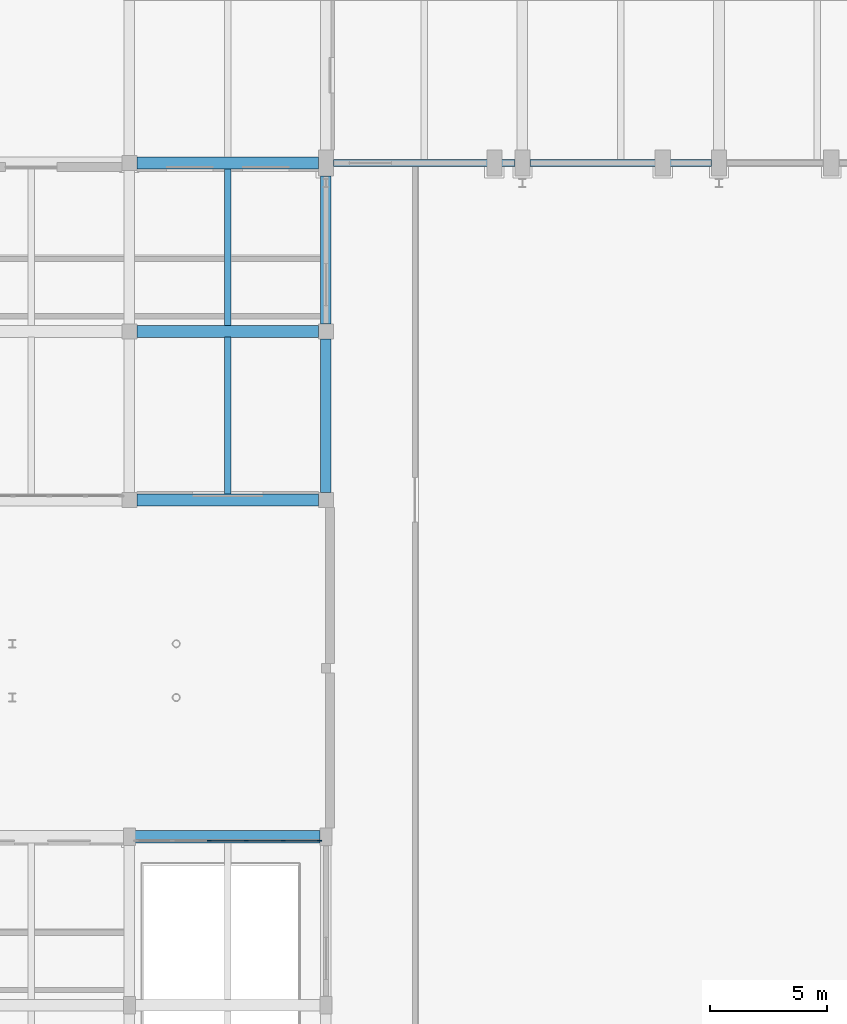
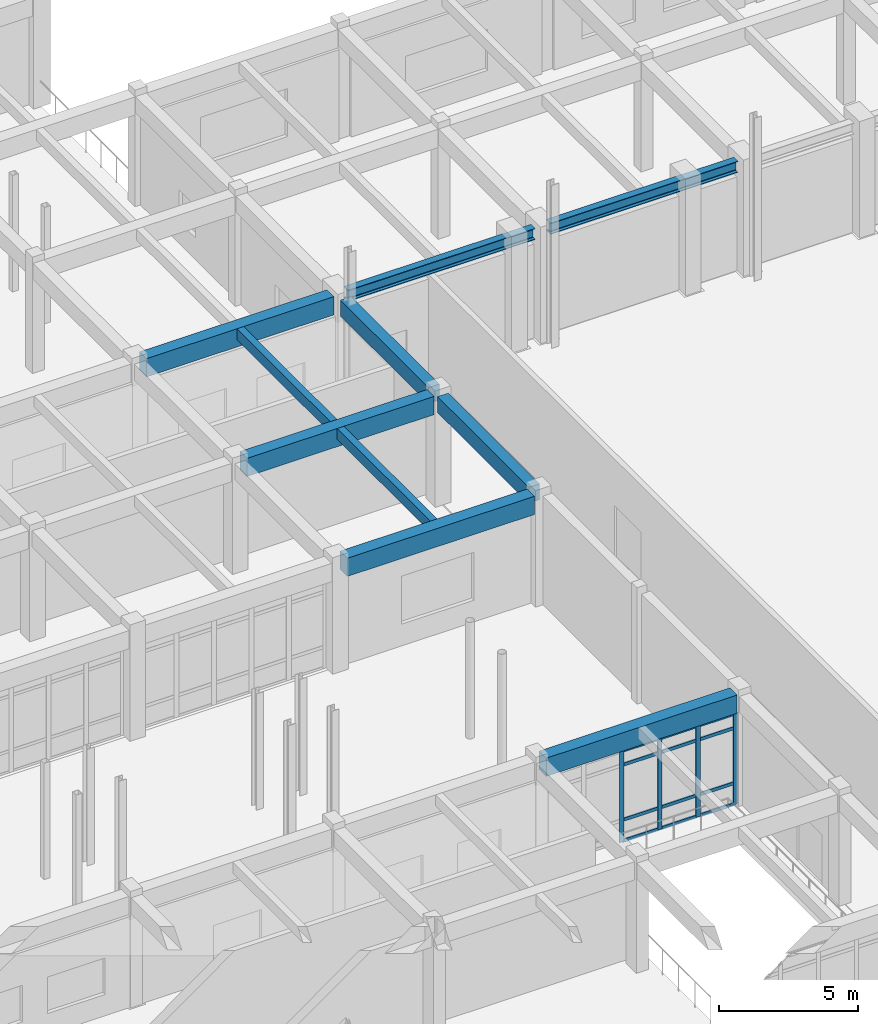
# One storey, part 62 of 121: 16 members, 10 beams, 1 element without a shape of its own.
"""IFC4 building model written with IfcOpenShell, lengths in metres."""

from ifc_helpers import new_model, si_unit, direction, frame, origin, origin_2d, place, context, subcontext, project, spatial, rectangle, i_section, extrude, material, material_profile, profile_set, type_object, element, aggregate, save


model = new_model("IFC4")

# Units and contexts
model_context = context("Model", 3, precision=1e-05, world=origin(), true_north=direction((0.0, 1.0)))
body_context = subcontext(model_context, "Body", "Model", "MODEL_VIEW")
ifc_project = project(units=[si_unit("LENGTHUNIT", "METRE"), si_unit("AREAUNIT", "SQUARE_METRE"), si_unit("VOLUMEUNIT", "CUBIC_METRE"), si_unit("PLANEANGLEUNIT", "RADIAN"), si_unit("MASSUNIT", "GRAM", prefix="KILO")], contexts=[model_context])

# Site, building, storey
site_placement = place(None, origin())
site = spatial("IfcSite", under=ifc_project, at=site_placement, CompositionType="ELEMENT")
building_placement = place(site_placement, origin())
building = spatial("IfcBuilding", under=site, at=building_placement, Name="Malvenik Polytechnic", CompositionType="ELEMENT")
storey_placement = place(building_placement, origin())
storey = spatial("IfcBuildingStorey", under=building, at=storey_placement, Name="L00", CompositionType="ELEMENT", Elevation=0.0)

# Curtain wall, members
ifc_material_1 = material(Name="Anodised aluminium 6060-T6", Category="aluminium")
curtain_wall_type = type_object("IfcCurtainWallType", Name="ARC-CW-CW-01", PredefinedType="NOTDEFINED", material=ifc_material_1)
curtain_wall_placement = place(storey_placement, origin())
curtain_wall = element("IfcCurtainWall", 1, at=curtain_wall_placement, inside=storey, type_object=curtain_wall_type, Name="Unitised Curtain Wall CW-01 L00 #22", PredefinedType="NOTDEFINED")
ifc_material_2 = material(Name="Anodised aluminium", Category="aluminium")
ifc_material_profile_1 = material_profile(ifc_material_2, rectangle(XDim=0.06005859375, YDim=0.179931640625, at=origin_2d()), Name="ALU MULLION 60x180")
ifc_profile_set_1 = profile_set([ifc_material_profile_1], Name="Anodised aluminium")
member_type_1 = type_object("IfcMemberType", Name="ARC-CWM-180", PredefinedType="MULLION", material=ifc_profile_set_1)
member_1_placement = place(storey_placement, frame((129.40966796875, 64.6298828125, 0.0), z_axis=(0.0, 0.0, 1.0), x_axis=(0.0, 1.0, 0.0)))
member_1 = element("IfcMember", 2, at=member_1_placement, type_object=member_type_1, Name="CW-01 mullion 3", PredefinedType="MULLION", context=body_context, shape_type="SweptSolid", body=[
    extrude(rectangle(XDim=0.06005859375, YDim=0.179931640625, at=origin_2d()), origin(), (0.0, 0.0, 1.0), 4.010009765625),
])
member_2_placement = place(storey_placement, frame((130.990478515625, 64.6298828125, 0.0), z_axis=(0.0, 0.0, 1.0), x_axis=(0.0, 1.0, 0.0)))
member_2 = element("IfcMember", 3, at=member_2_placement, type_object=member_type_1, Name="CW-01 mullion 4", PredefinedType="MULLION", context=body_context, shape_type="SweptSolid", body=[
    extrude(rectangle(XDim=0.06005859375, YDim=0.179931640625, at=origin_2d()), origin(), (0.0, 0.0, 1.0), 4.010009765625),
])
member_3_placement = place(storey_placement, frame((132.5712890625, 64.6298828125, 0.0), z_axis=(0.0, 0.0, 1.0), x_axis=(0.0, 1.0, 0.0)))
member_3 = element("IfcMember", 4, at=member_3_placement, type_object=member_type_1, Name="CW-01 mullion 5", PredefinedType="MULLION", context=body_context, shape_type="SweptSolid", body=[
    extrude(rectangle(XDim=0.06005859375, YDim=0.179931640625, at=origin_2d()), origin(), (0.0, 0.0, 1.0), 4.010009765625),
])
member_4_placement = place(storey_placement, frame((134.1220703125, 64.6298828125, 0.0), z_axis=(0.0, 0.0, 1.0), x_axis=(0.0, 1.0, 0.0)))
member_4 = element("IfcMember", 5, at=member_4_placement, type_object=member_type_1, Name="CW-01 mullion 6", PredefinedType="MULLION", context=body_context, shape_type="SweptSolid", body=[
    extrude(rectangle(XDim=0.06005859375, YDim=0.179931640625, at=origin_2d()), origin(), (0.0, 0.0, 1.0), 4.010009765625),
])
ifc_material_profile_2 = material_profile(ifc_material_2, rectangle(XDim=0.06005859375, YDim=0.139892578125, at=origin_2d()), Name="ALU TRANSOM 60x140")
ifc_profile_set_2 = profile_set([ifc_material_profile_2], Name="Anodised aluminium")
member_type_2 = type_object("IfcMemberType", Name="ARC-CWT-140", PredefinedType="USERDEFINED", material=ifc_profile_set_2)
member_5_placement = place(storey_placement, frame((129.439697265625, 64.6298828125, 0.030029296875), z_axis=(1.0, 0.0, 0.0), x_axis=(0.0, 1.0, 0.0)))
member_5 = element("IfcMember", 6, at=member_5_placement, type_object=member_type_2, Name="CW-01 transom 3.1", ObjectType="TRANSOM", PredefinedType="USERDEFINED", context=body_context, shape_type="SweptSolid", body=[
    extrude(rectangle(XDim=0.06005859375, YDim=0.139892578125, at=origin_2d()), origin(), (0.0, 0.0, 1.0), 1.520751953125),
])
member_6_placement = place(storey_placement, frame((129.439697265625, 64.6298828125, 0.949951171875), z_axis=(1.0, 0.0, 0.0), x_axis=(0.0, 1.0, 0.0)))
member_6 = element("IfcMember", 7, at=member_6_placement, type_object=member_type_2, Name="CW-01 transom 3.2", ObjectType="TRANSOM", PredefinedType="USERDEFINED", context=body_context, shape_type="SweptSolid", body=[
    extrude(rectangle(XDim=0.06005859375, YDim=0.139892578125, at=origin_2d()), origin(), (0.0, 0.0, 1.0), 1.520751953125),
])
member_7_placement = place(storey_placement, frame((129.439697265625, 64.6298828125, 3.360107421875), z_axis=(1.0, 0.0, 0.0), x_axis=(0.0, 1.0, 0.0)))
member_7 = element("IfcMember", 8, at=member_7_placement, type_object=member_type_2, Name="CW-01 transom 3.3", ObjectType="TRANSOM", PredefinedType="USERDEFINED", context=body_context, shape_type="SweptSolid", body=[
    extrude(rectangle(XDim=0.06005859375, YDim=0.139892578125, at=origin_2d()), origin(), (0.0, 0.0, 1.0), 1.520751953125),
])
member_8_placement = place(storey_placement, frame((129.439697265625, 64.6298828125, 3.97998046875), z_axis=(1.0, 0.0, 0.0), x_axis=(0.0, 1.0, 0.0)))
member_8 = element("IfcMember", 9, at=member_8_placement, type_object=member_type_2, Name="CW-01 transom 3.4", ObjectType="TRANSOM", PredefinedType="USERDEFINED", context=body_context, shape_type="SweptSolid", body=[
    extrude(rectangle(XDim=0.06005859375, YDim=0.139892578125, at=origin_2d()), origin(), (0.0, 0.0, 1.0), 1.520751953125),
])
member_9_placement = place(storey_placement, frame((131.0205078125, 64.6298828125, 0.030029296875), z_axis=(1.0, 0.0, 0.0), x_axis=(0.0, 1.0, 0.0)))
member_9 = element("IfcMember", 10, at=member_9_placement, type_object=member_type_2, Name="CW-01 transom 4.1", ObjectType="TRANSOM", PredefinedType="USERDEFINED", context=body_context, shape_type="SweptSolid", body=[
    extrude(rectangle(XDim=0.06005859375, YDim=0.139892578125, at=origin_2d()), origin(), (0.0, 0.0, 1.0), 1.520751953125),
])
member_10_placement = place(storey_placement, frame((131.0205078125, 64.6298828125, 0.949951171875), z_axis=(1.0, 0.0, 0.0), x_axis=(0.0, 1.0, 0.0)))
member_10 = element("IfcMember", 11, at=member_10_placement, type_object=member_type_2, Name="CW-01 transom 4.2", ObjectType="TRANSOM", PredefinedType="USERDEFINED", context=body_context, shape_type="SweptSolid", body=[
    extrude(rectangle(XDim=0.06005859375, YDim=0.139892578125, at=origin_2d()), origin(), (0.0, 0.0, 1.0), 1.520751953125),
])
member_11_placement = place(storey_placement, frame((131.0205078125, 64.6298828125, 3.360107421875), z_axis=(1.0, 0.0, 0.0), x_axis=(0.0, 1.0, 0.0)))
member_11 = element("IfcMember", 12, at=member_11_placement, type_object=member_type_2, Name="CW-01 transom 4.3", ObjectType="TRANSOM", PredefinedType="USERDEFINED", context=body_context, shape_type="SweptSolid", body=[
    extrude(rectangle(XDim=0.06005859375, YDim=0.139892578125, at=origin_2d()), origin(), (0.0, 0.0, 1.0), 1.520751953125),
])
member_12_placement = place(storey_placement, frame((131.0205078125, 64.6298828125, 3.97998046875), z_axis=(1.0, 0.0, 0.0), x_axis=(0.0, 1.0, 0.0)))
member_12 = element("IfcMember", 13, at=member_12_placement, type_object=member_type_2, Name="CW-01 transom 4.4", ObjectType="TRANSOM", PredefinedType="USERDEFINED", context=body_context, shape_type="SweptSolid", body=[
    extrude(rectangle(XDim=0.06005859375, YDim=0.139892578125, at=origin_2d()), origin(), (0.0, 0.0, 1.0), 1.520751953125),
])
member_13_placement = place(storey_placement, frame((132.601318359375, 64.6298828125, 0.030029296875), z_axis=(1.0, 0.0, 0.0), x_axis=(0.0, 1.0, 0.0)))
member_13 = element("IfcMember", 14, at=member_13_placement, type_object=member_type_2, Name="CW-01 transom 5.1", ObjectType="TRANSOM", PredefinedType="USERDEFINED", context=body_context, shape_type="SweptSolid", body=[
    extrude(rectangle(XDim=0.06005859375, YDim=0.139892578125, at=origin_2d()), origin(), (0.0, 0.0, 1.0), 1.49072265625),
])
member_14_placement = place(storey_placement, frame((132.601318359375, 64.6298828125, 0.949951171875), z_axis=(1.0, 0.0, 0.0), x_axis=(0.0, 1.0, 0.0)))
member_14 = element("IfcMember", 15, at=member_14_placement, type_object=member_type_2, Name="CW-01 transom 5.2", ObjectType="TRANSOM", PredefinedType="USERDEFINED", context=body_context, shape_type="SweptSolid", body=[
    extrude(rectangle(XDim=0.06005859375, YDim=0.139892578125, at=origin_2d()), origin(), (0.0, 0.0, 1.0), 1.49072265625),
])
member_15_placement = place(storey_placement, frame((132.601318359375, 64.6298828125, 3.360107421875), z_axis=(1.0, 0.0, 0.0), x_axis=(0.0, 1.0, 0.0)))
member_15 = element("IfcMember", 16, at=member_15_placement, type_object=member_type_2, Name="CW-01 transom 5.3", ObjectType="TRANSOM", PredefinedType="USERDEFINED", context=body_context, shape_type="SweptSolid", body=[
    extrude(rectangle(XDim=0.06005859375, YDim=0.139892578125, at=origin_2d()), origin(), (0.0, 0.0, 1.0), 1.49072265625),
])
member_16_placement = place(storey_placement, frame((132.601318359375, 64.6298828125, 3.97998046875), z_axis=(1.0, 0.0, 0.0), x_axis=(0.0, 1.0, 0.0)))
member_16 = element("IfcMember", 17, at=member_16_placement, type_object=member_type_2, Name="CW-01 transom 5.4", ObjectType="TRANSOM", PredefinedType="USERDEFINED", context=body_context, shape_type="SweptSolid", body=[
    extrude(rectangle(XDim=0.06005859375, YDim=0.139892578125, at=origin_2d()), origin(), (0.0, 0.0, 1.0), 1.49072265625),
])
aggregate(curtain_wall, [member_1, member_2, member_3, member_4, member_5, member_6, member_7, member_8, member_9, member_10, member_11, member_12, member_13, member_14, member_15, member_16])

# Beams
ifc_material_3 = material(Name="Concrete C35/45", Category="concrete")
ifc_material_profile_3 = material_profile(ifc_material_3, rectangle(XDim=0.5, YDim=0.800048828125, at=origin_2d()), Name="RC BM 500x800")
ifc_profile_set_3 = profile_set([ifc_material_profile_3], Name="Concrete C35/45")
beam_type_1 = type_object("IfcBeamType", Name="STR-BM-B-02", PredefinedType="BEAM", material=ifc_profile_set_3)
for number, where, z_axis, x_axis, name in (
    (18, (126.322998046875, 86.39990234375, 4.419921875), (1.0, 0.0, 0.0), (0.0, 1.0, 0.0), "Primary Beam B-02 L00 #639"),
    (19, (126.322998046875, 93.60009765625, 4.419921875), (1.0, 0.0, 0.0), (0.0, 1.0, 0.0), "Primary Beam B-02 L00 #655"),
):
    element("IfcBeam", number, at=place(storey_placement, frame(where, z_axis=z_axis, x_axis=x_axis)), inside=storey, type_object=beam_type_1, Name=name, PredefinedType="BEAM", context=body_context, shape_type="SweptSolid", body=[
        extrude(rectangle(XDim=0.5, YDim=0.800048828125, at=origin_2d()), origin(), (0.0, 0.0, 1.0), 7.75390625),
    ])
ifc_material_profile_4 = material_profile(ifc_material_3, rectangle(XDim=0.449951171875, YDim=0.699951171875, at=origin_2d()), Name="RC BM 450x700")
ifc_profile_set_4 = profile_set([ifc_material_profile_4], Name="Concrete C35/45")
beam_type_2 = type_object("IfcBeamType", Name="STR-BM-B-04", PredefinedType="BEAM", material=ifc_profile_set_4)
beam_1_placement = place(storey_placement, frame((134.39990234375, 79.52294921875, 4.469970703125), z_axis=(0.0, 1.0, 0.0), x_axis=(-1.0, 0.0, 0.0)))
element("IfcBeam", 20, at=beam_1_placement, inside=storey, type_object=beam_type_2, Name="Transverse Beam B-04 L00 #843", PredefinedType="BEAM", context=body_context, shape_type="SweptSolid", body=[
    extrude(rectangle(XDim=0.449951171875, YDim=0.699951171875, at=origin_2d()), origin(), (0.0, 0.0, 1.0), 6.553955078125),
])
beam_2_placement = place(storey_placement, frame((134.39990234375, 86.722900390625, 4.469970703125), z_axis=(0.0, 1.0, 0.0), x_axis=(-1.0, 0.0, 0.0)))
element("IfcBeam", 21, at=beam_2_placement, inside=storey, type_object=beam_type_2, Name="Transverse Beam B-04 L00 #844", PredefinedType="BEAM", context=body_context, shape_type="SweptSolid", body=[
    extrude(rectangle(XDim=0.449951171875, YDim=0.699951171875, at=origin_2d()), origin(), (0.0, 0.0, 1.0), 6.3291015625),
])
ifc_material_4 = material(Name="Concrete C30/37", Category="concrete")
ifc_material_profile_5 = material_profile(ifc_material_4, rectangle(XDim=0.280029296875, YDim=0.47998046875, at=origin_2d()), Name="RC JST 280x480")
ifc_profile_set_5 = profile_set([ifc_material_profile_5], Name="Concrete C30/37")
beam_type_3 = type_object("IfcBeamType", Name="STR-BM-J-01", PredefinedType="JOIST", material=ifc_profile_set_5)
beam_3_placement = place(storey_placement, frame((130.199951171875, 79.4580078125, 4.580078125), z_axis=(0.0, 1.0, 0.0), x_axis=(-1.0, 0.0, 0.0)))
element("IfcBeam", 22, at=beam_3_placement, inside=storey, type_object=beam_type_3, Name="Secondary Rib Joist J-01 L00 #940", PredefinedType="JOIST", context=body_context, shape_type="SweptSolid", body=[
    extrude(rectangle(XDim=0.280029296875, YDim=0.47998046875, at=origin_2d()), origin(), (0.0, 0.0, 1.0), 6.694091796875),
])
beam_4_placement = place(storey_placement, frame((130.199951171875, 86.64794921875, 4.580078125), z_axis=(0.0, 1.0, 0.0), x_axis=(-1.0, 0.0, 0.0)))
element("IfcBeam", 23, at=beam_4_placement, inside=storey, type_object=beam_type_3, Name="Secondary Rib Joist J-01 L00 #941", PredefinedType="JOIST", context=body_context, shape_type="SweptSolid", body=[
    extrude(rectangle(XDim=0.280029296875, YDim=0.47998046875, at=origin_2d()), origin(), (0.0, 0.0, 1.0), 6.7041015625),
])
ifc_material_5 = material(Name="Steel S355", Category="steel")
ifc_material_profile_6 = material_profile(ifc_material_5, i_section(OverallWidth=0.300048828125, OverallDepth=0.489990234375, WebThickness=0.011962890625, FlangeThickness=0.02294921875, FilletRadius=0.027099609375, at=origin_2d()), Name="HEA 500")
ifc_profile_set_6 = profile_set([ifc_material_profile_6], Name="Steel S355")
beam_type_4 = type_object("IfcBeamType", Name="STR-BM-SB-04", PredefinedType="BEAM", material=ifc_profile_set_6)
beam_5_placement = place(storey_placement, frame((134.722900390625, 93.60009765625, 4.56298828125), z_axis=(1.0, 0.0, 0.0), x_axis=(0.0, 1.0, 0.0)))
element("IfcBeam", 24, at=beam_5_placement, inside=storey, type_object=beam_type_4, Name="Beam SB-04 #1", PredefinedType="BEAM", context=body_context, shape_type="SweptSolid", body=[
    extrude(i_section(OverallWidth=0.300048828125, OverallDepth=0.489990234375, WebThickness=0.011962890625, FlangeThickness=0.02294921875, FilletRadius=0.027099609375, at=origin_2d()), origin(), (0.0, 0.0, 1.0), 7.754150390625),
])
beam_6_placement = place(storey_placement, frame((143.123046875, 93.60009765625, 4.56298828125), z_axis=(1.0, 0.0, 0.0), x_axis=(0.0, 1.0, 0.0)))
element("IfcBeam", 25, at=beam_6_placement, inside=storey, type_object=beam_type_4, Name="Beam SB-04 #2", PredefinedType="BEAM", context=body_context, shape_type="SweptSolid", body=[
    extrude(i_section(OverallWidth=0.300048828125, OverallDepth=0.489990234375, WebThickness=0.011962890625, FlangeThickness=0.02294921875, FilletRadius=0.027099609375, at=origin_2d()), origin(), (0.0, 0.0, 1.0), 7.75390625),
])
ifc_material_6 = material(Name="Precast concrete C40/50", Category="concrete")
ifc_material_profile_7 = material_profile(ifc_material_6, rectangle(XDim=0.52001953125, YDim=0.800048828125, at=origin_2d()), Name="PC SPN 520x800")
ifc_profile_set_7 = profile_set([ifc_material_profile_7], Name="Precast concrete C40/50")
beam_type_5 = type_object("IfcBeamType", Name="STR-BM-SP-01", PredefinedType="SPANDREL", material=ifc_profile_set_7)
beam_7_placement = place(storey_placement, frame((126.248046875, 64.800048828125, 4.419921875), z_axis=(1.0, 0.0, 0.0), x_axis=(0.0, 1.0, 0.0)))
element("IfcBeam", 26, at=beam_7_placement, inside=storey, type_object=beam_type_5, Name="Primary Beam SP-01 L00 #610", PredefinedType="SPANDREL", context=body_context, shape_type="SweptSolid", body=[
    extrude(rectangle(XDim=0.52001953125, YDim=0.800048828125, at=origin_2d()), origin(), (0.0, 0.0, 1.0), 7.904052734375),
])
beam_8_placement = place(storey_placement, frame((126.322998046875, 79.199951171875, 4.419921875), z_axis=(1.0, 0.0, 0.0), x_axis=(0.0, 1.0, 0.0)))
element("IfcBeam", 27, at=beam_8_placement, inside=storey, type_object=beam_type_5, Name="Primary Beam SP-01 L00 #627", PredefinedType="SPANDREL", context=body_context, shape_type="SweptSolid", body=[
    extrude(rectangle(XDim=0.52001953125, YDim=0.800048828125, at=origin_2d()), origin(), (0.0, 0.0, 1.0), 7.75390625),
])

save(model, "model.ifc")
